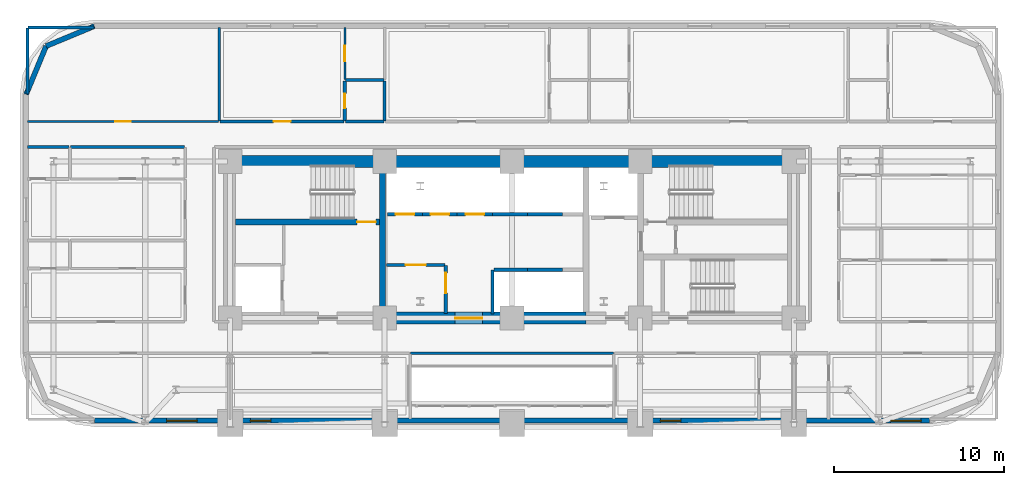
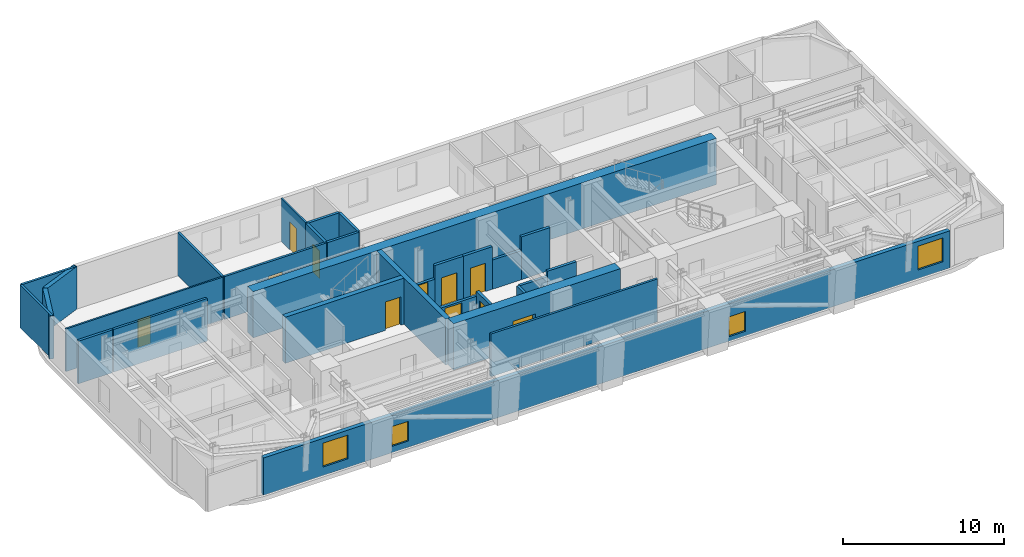
# One storey, part 9 of 15: 30 walls, 11 doors, 4 windows, 15 openings.
"""IFC4 building model written with IfcOpenShell, lengths in metres."""

from ifc_helpers import new_model, si_unit, direction, frame, frame_2d, origin, place, context, subcontext, project, spatial, rectangle, extrude, material, layer, layer_set, type_object, element, fill, save


model = new_model("IFC4")

# Units and contexts
model_context = context("Model", 3, precision=1e-05, world=origin(), true_north=direction((0.0, 1.0)))
body_context = subcontext(model_context, "Body", "Model", "MODEL_VIEW")
ifc_project = project(units=[si_unit("LENGTHUNIT", "METRE"), si_unit("AREAUNIT", "SQUARE_METRE"), si_unit("VOLUMEUNIT", "CUBIC_METRE"), si_unit("PLANEANGLEUNIT", "RADIAN"), si_unit("MASSUNIT", "GRAM", prefix="KILO")], contexts=[model_context])

# Site, building, storey
site_placement = place(None, origin())
site = spatial("IfcSite", under=ifc_project, at=site_placement, CompositionType="ELEMENT")
building_placement = place(site_placement, origin())
building = spatial("IfcBuilding", under=site, at=building_placement, Name="Zarnavel Station Tower", CompositionType="ELEMENT")
storey_placement = place(building_placement, frame((0.0, 0.0, 50.0)))
storey = spatial("IfcBuildingStorey", under=building, at=storey_placement, Name="L13", CompositionType="ELEMENT", Elevation=50.0)

# Wall
ifc_material_1 = material(Name="Concrete C50/60", Category="concrete")
ifc_layer_1 = layer(ifc_material_1, 0.35009765625)
ifc_layer_set_1 = layer_set([ifc_layer_1], Name="CW_350")
wall_type_1 = type_object("IfcWallType", Name="CW_350", PredefinedType="SHEAR", material=ifc_layer_set_1)
wall_1_placement = place(storey_placement, frame((21.179931640625, 28.169921875, 0.0), z_axis=(0.0, 0.0, 1.0), x_axis=(0.0, 1.0, 0.0)))
element("IfcWall", 1, at=wall_1_placement, inside=storey, type_object=wall_type_1, Name="L13 Rear Core Shear Wall DIV-W", PredefinedType="SHEAR", context=body_context, shape_type="SweptSolid", body=[
    extrude(rectangle(XDim=8.530029296875, YDim=0.35009765625, at=frame_2d((4.26513671875, 0.0))), origin(), (0.0, 0.0, 1.0), 3.5),
])

# Wall, opening, door
wall_2_placement = place(storey_placement, frame((21.0048828125, 33.47998046875, 0.0), z_axis=(0.0, 0.0, 1.0), x_axis=(-1.0, 0.0, 0.0)))
wall_2 = element("IfcWall", 2, at=wall_2_placement, inside=storey, type_object=wall_type_1, Name="L13 Rear Core Shear Wall DIV-H1", PredefinedType="SHEAR", context=body_context, shape_type="SweptSolid", body=[
    extrude(rectangle(XDim=8.5048828125, YDim=0.35009765625, at=frame_2d((4.25244140625, 0.0))), origin(), (0.0, 0.0, 1.0), 3.5),
])
opening_1_placement = place(wall_2_placement, frame((0.219970703125, 0.0, 0.0)))
opening_1 = element("IfcOpeningElement", 3, at=opening_1_placement, cuts=wall_2, Name="Opening FD01", PredefinedType="OPENING", context=body_context, shape_type="SweptSolid", body=[
    extrude(rectangle(XDim=1.10009765625, YDim=2.14990234375, at=frame_2d((0.550048828125, 1.074951171875))), frame((0.0, 0.18505859375, 0.0), z_axis=(0.0, -1.0, 0.0), x_axis=(1.0, 0.0, 0.0)), (0.0, 0.0, 1.0), 0.3701171875),
])
ifc_material_2 = material(Name="Painted Galvanised Steel and Hardwood Leaf", Category="steel")
door_type_1 = type_object("IfcDoorType", Name="ID_STAIR_1100", OperationType="NOTDEFINED", PredefinedType="DOOR", material=ifc_material_2)
door_1_placement = place(opening_1_placement, origin())
door_1 = element("IfcDoor", 4, at=door_1_placement, inside=storey, type_object=door_type_1, Name="L13 Stair ST1 Lobby Fire Door", OperationType="SINGLE_SWING_LEFT", OverallHeight=2.14990234375, OverallWidth=1.10009765625, PredefinedType="DOOR", context=body_context, shape_type="SweptSolid", body=[
    extrude(rectangle(XDim=1.10009765625, YDim=2.14990234375, at=frame_2d((0.550048828125, 1.074951171875))), frame((0.0, 0.02490234375, 0.0), z_axis=(0.0, -1.0, 0.0), x_axis=(1.0, 0.0, 0.0)), (0.0, 0.0, 1.0), 0.050048828125),
])
fill(opening_1, door_1)

# Wall
ifc_material_3 = material(Name="Concrete C60/75", Category="concrete")
ifc_layer_2 = layer(ifc_material_3, 0.699951171875)
ifc_layer_set_2 = layer_set([ifc_layer_2], Name="CW_700")
wall_type_2 = type_object("IfcWallType", Name="CW_700", PredefinedType="SHEAR", material=ifc_layer_set_2)
wall_3_placement = place(storey_placement, frame((12.14990234375, 37.050048828125, 0.0), z_axis=(0.0, 0.0, 1.0), x_axis=(1.0, 0.0, 0.0)))
element("IfcWall", 5, at=wall_3_placement, inside=storey, type_object=wall_type_2, Name="L13 Rear Core Shear Wall N", PredefinedType="SHEAR", context=body_context, shape_type="SweptSolid", body=[
    extrude(rectangle(XDim=33.22998046875, YDim=0.699951171875, at=frame_2d((16.614990234375, 0.0))), origin(), (0.0, 0.0, 1.0), 3.5),
])

# Wall, opening, door
wall_4_placement = place(storey_placement, frame((33.14990234375, 27.820068359375, 0.0), z_axis=(0.0, 0.0, 1.0), x_axis=(-1.0, 0.0, 0.0)))
wall_4 = element("IfcWall", 6, at=wall_4_placement, inside=storey, type_object=wall_type_2, Name="L13 Rear Core Shear Wall S-M", PredefinedType="SHEAR", context=body_context, shape_type="SweptSolid", body=[
    extrude(rectangle(XDim=11.969970703125, YDim=0.699951171875, at=frame_2d((5.98486328125, 0.0))), origin(), (0.0, 0.0, 1.0), 3.5),
])
opening_2_placement = place(wall_4_placement, frame((6.10009765625, 0.0, 0.0)))
opening_2 = element("IfcOpeningElement", 7, at=opening_2_placement, cuts=wall_4, Name="Opening ID03", PredefinedType="OPENING", context=body_context, shape_type="SweptSolid", body=[
    extrude(rectangle(XDim=1.60009765625, YDim=2.199951171875, at=frame_2d((0.800048828125, 1.10009765625))), frame((0.0, 0.35986328125, 0.0), z_axis=(0.0, -1.0, 0.0), x_axis=(1.0, 0.0, 0.0)), (0.0, 0.0, 1.0), 0.719970703125),
])
ifc_material_4 = material(Name="Painted Galvanised Steel and Hardwood Leaf", Category="steel")
door_type_2 = type_object("IfcDoorType", Name="ID_PUBLIC_1600", OperationType="DOUBLE_DOOR_SINGLE_SWING", PredefinedType="DOOR", material=ifc_material_4)
door_2_placement = place(opening_2_placement, origin())
door_2 = element("IfcDoor", 8, at=door_2_placement, inside=storey, type_object=door_type_2, Name="L13 Passenger Lift Lobby Double Door", OperationType="SINGLE_SWING_LEFT", OverallHeight=2.199951171875, OverallWidth=1.60009765625, PredefinedType="DOOR", context=body_context, shape_type="SweptSolid", body=[
    extrude(rectangle(XDim=1.60009765625, YDim=2.199951171875, at=frame_2d((0.800048828125, 1.10009765625))), frame((0.0, 0.02490234375, 0.0), z_axis=(0.0, -1.0, 0.0), x_axis=(1.0, 0.0, 0.0)), (0.0, 0.0, 1.0), 0.050048828125),
])
fill(opening_2, door_2)

# Walls
ifc_material_5 = material(Name="Precast concrete C45/55 (Dark Basalt Finish)", Category="masonry")
ifc_layer_3 = layer(ifc_material_5, 0.300048828125)
ifc_layer_set_3 = layer_set([ifc_layer_3], Name="EW_BASALT_300")
wall_type_3 = type_object("IfcWallType", Name="EW_BASALT_300", PredefinedType="SOLIDWALL", material=ifc_layer_set_3)
for number, where, z_axis, x_axis, name in (
    (9, (1.357421875, 43.842529296875, 0.0), (0.0, 0.0, 1.0), (0.923870793506, 0.382704529509, 0.0), "L13 Exterior Basalt Masonry Frame Wall 07"),
    (10, (0.179931640625, 41.0, 0.0), (0.0, 0.0, 1.0), (0.382704529509, 0.923870793506, 0.0), "L13 Exterior Basalt Masonry Frame Wall 08"),
):
    element("IfcWall", number, at=place(storey_placement, frame(where, z_axis=z_axis, x_axis=x_axis)), inside=storey, type_object=wall_type_3, Name=name, PredefinedType="SOLIDWALL", context=body_context, shape_type="SweptSolid", body=[
        extrude(rectangle(XDim=3.07666015625, YDim=0.300048828125, at=frame_2d((1.538330078125, 0.0))), origin(), (0.0, 0.0, 1.0), 3.239990234375),
    ])

# Wall, openings, windows
wall_5_placement = place(storey_placement, frame((53.39990234375, 21.780029296875, 0.0), z_axis=(0.0, 0.0, 1.0), x_axis=(-1.0, 0.0, 0.0)))
wall_5 = element("IfcWall", 11, at=wall_5_placement, inside=storey, type_object=wall_type_3, Name="L13 Exterior Basalt Masonry Frame Wall 12", PredefinedType="SOLIDWALL", context=body_context, shape_type="SweptSolid", body=[
    extrude(rectangle(XDim=49.199951171875, YDim=0.300048828125, at=frame_2d((24.60009765625, 0.0))), origin(), (0.0, 0.0, 1.0), 2.820068359375),
])
opening_3_placement = place(wall_5_placement, frame((43.14111328125, 0.0, 0.64990234375)))
opening_3 = element("IfcOpeningElement", 12, at=opening_3_placement, cuts=wall_5, Name="Opening WN02", PredefinedType="OPENING", context=body_context, shape_type="SweptSolid", body=[
    extrude(rectangle(XDim=1.800048828125, YDim=1.800048828125, at=frame_2d((0.89990234375, 0.89990234375))), frame((0.0, 0.159912109375, 0.0), z_axis=(0.0, -1.0, 0.0), x_axis=(1.0, 0.0, 0.0)), (0.0, 0.0, 1.0), 0.320068359375),
])
opening_4_placement = place(wall_5_placement, frame((38.804931640625, 0.0, 0.47998046875)))
opening_4 = element("IfcOpeningElement", 13, at=opening_4_placement, cuts=wall_5, Name="Opening WN08", PredefinedType="OPENING", context=body_context, shape_type="SweptSolid", body=[
    extrude(rectangle(XDim=1.199951171875, YDim=1.5, at=frame_2d((0.60009765625, 0.75))), frame((0.0, 0.159912109375, 0.0), z_axis=(0.0, -1.0, 0.0), x_axis=(1.0, 0.0, 0.0)), (0.0, 0.0, 1.0), 0.320068359375),
])
opening_5_placement = place(wall_5_placement, frame((14.655029296875, 0.0, 0.340087890625)))
opening_5 = element("IfcOpeningElement", 14, at=opening_5_placement, cuts=wall_5, Name="Opening WN08", PredefinedType="OPENING", context=body_context, shape_type="SweptSolid", body=[
    extrude(rectangle(XDim=1.199951171875, YDim=1.5, at=frame_2d((0.60009765625, 0.75))), frame((0.0, 0.159912109375, 0.0), z_axis=(0.0, -1.0, 0.0), x_axis=(1.0, 0.0, 0.0)), (0.0, 0.0, 1.0), 0.320068359375),
])
opening_6_placement = place(wall_5_placement, frame((0.503662109375, 0.0, 0.64990234375)))
opening_6 = element("IfcOpeningElement", 15, at=opening_6_placement, cuts=wall_5, Name="Opening WN02", PredefinedType="OPENING", context=body_context, shape_type="SweptSolid", body=[
    extrude(rectangle(XDim=1.800048828125, YDim=1.800048828125, at=frame_2d((0.89990234375, 0.89990234375))), frame((0.0, 0.159912109375, 0.0), z_axis=(0.0, -1.0, 0.0), x_axis=(1.0, 0.0, 0.0)), (0.0, 0.0, 1.0), 0.320068359375),
])
ifc_material_6 = material(Name="Thermally Broken Black Aluminium and Low-E Dark Glass", Category="aluminium")
window_type_1 = type_object("IfcWindowType", Name="WN_1200x1500", PartitioningType="SINGLE_PANEL", PredefinedType="WINDOW", material=ifc_material_6)
window_1_placement = place(opening_4_placement, origin())
window_1 = element("IfcWindow", 16, at=window_1_placement, inside=storey, type_object=window_type_1, Name="L13 Recessed Facade Window 02", OverallHeight=1.5, OverallWidth=1.199951171875, PartitioningType="SINGLE_PANEL", PredefinedType="WINDOW", context=body_context, shape_type="SweptSolid", body=[
    extrude(rectangle(XDim=1.199951171875, YDim=1.5, at=frame_2d((0.60009765625, 0.75))), frame((0.0, 0.030029296875, 0.0), z_axis=(0.0, -1.0, 0.0), x_axis=(1.0, 0.0, 0.0)), (0.0, 0.0, 1.0), 0.06005859375),
])
fill(opening_4, window_1)
window_2_placement = place(opening_5_placement, origin())
window_2 = element("IfcWindow", 17, at=window_2_placement, inside=storey, type_object=window_type_1, Name="L13 Recessed Facade Window 03", OverallHeight=1.5, OverallWidth=1.199951171875, PartitioningType="SINGLE_PANEL", PredefinedType="WINDOW", context=body_context, shape_type="SweptSolid", body=[
    extrude(rectangle(XDim=1.199951171875, YDim=1.5, at=frame_2d((0.60009765625, 0.75))), frame((0.0, 0.030029296875, 0.0), z_axis=(0.0, -1.0, 0.0), x_axis=(1.0, 0.0, 0.0)), (0.0, 0.0, 1.0), 0.06005859375),
])
fill(opening_5, window_2)
ifc_material_7 = material(Name="Thermally Broken Black Aluminium and Low-E Dark Glass", Category="aluminium")
window_type_2 = type_object("IfcWindowType", Name="WN_1800x1800", PartitioningType="DOUBLE_PANEL_VERTICAL", PredefinedType="WINDOW", material=ifc_material_7)
window_3_placement = place(opening_3_placement, origin())
window_3 = element("IfcWindow", 18, at=window_3_placement, inside=storey, type_object=window_type_2, Name="L13 Recessed Facade Window 01", OverallHeight=1.800048828125, OverallWidth=1.800048828125, PartitioningType="SINGLE_PANEL", PredefinedType="WINDOW", context=body_context, shape_type="SweptSolid", body=[
    extrude(rectangle(XDim=1.800048828125, YDim=1.800048828125, at=frame_2d((0.89990234375, 0.89990234375))), frame((0.0, 0.030029296875, 0.0), z_axis=(0.0, -1.0, 0.0), x_axis=(1.0, 0.0, 0.0)), (0.0, 0.0, 1.0), 0.06005859375),
])
fill(opening_3, window_3)
window_4_placement = place(opening_6_placement, origin())
window_4 = element("IfcWindow", 19, at=window_4_placement, inside=storey, type_object=window_type_2, Name="L13 Recessed Facade Window 04", OverallHeight=1.800048828125, OverallWidth=1.800048828125, PartitioningType="SINGLE_PANEL", PredefinedType="WINDOW", context=body_context, shape_type="SweptSolid", body=[
    extrude(rectangle(XDim=1.800048828125, YDim=1.800048828125, at=frame_2d((0.89990234375, 0.89990234375))), frame((0.0, 0.030029296875, 0.0), z_axis=(0.0, -1.0, 0.0), x_axis=(1.0, 0.0, 0.0)), (0.0, 0.0, 1.0), 0.06005859375),
])
fill(opening_6, window_4)

# Wall
ifc_material_8 = material(Name="Gypsum Twin-Stud Acoustic Fire Partition", Category="concrete")
ifc_layer_4 = layer(ifc_material_8, 0.159912109375)
ifc_layer_set_4 = layer_set([ifc_layer_4], Name="PT_DEMISE_160")
wall_type_4 = type_object("IfcWallType", Name="PT_DEMISE_160", PredefinedType="PARTITIONING", material=ifc_layer_set_4)
wall_6_placement = place(storey_placement, frame((2.800048828125, 37.89990234375, 0.0), z_axis=(0.0, 0.0, 1.0), x_axis=(1.0, 0.0, 0.0)))
element("IfcWall", 20, at=wall_6_placement, inside=storey, type_object=wall_type_4, Name="L13 Partition COR-N-FNW2S", PredefinedType="PARTITIONING", context=body_context, shape_type="SweptSolid", body=[
    extrude(rectangle(XDim=6.7099609375, YDim=0.159912109375, at=frame_2d((3.35498046875, 0.0))), origin(), (0.0, 0.0, 1.0), 3.239990234375),
])

# Wall, opening, door
wall_7_placement = place(storey_placement, frame((11.60009765625, 39.39990234375, 0.0), z_axis=(0.0, 0.0, 1.0), x_axis=(1.0, 0.0, 0.0)))
wall_7 = element("IfcWall", 21, at=wall_7_placement, inside=storey, type_object=wall_type_4, Name="L13 Partition COR-N-HN1R", PredefinedType="PARTITIONING", context=body_context, shape_type="SweptSolid", body=[
    extrude(rectangle(XDim=7.309814453125, YDim=0.159912109375, at=frame_2d((3.65478515625, 0.0))), origin(), (0.0, 0.0, 1.0), 3.239990234375),
])
opening_7_placement = place(wall_7_placement, frame((3.155029296875, 0.0, 0.0)))
opening_7 = element("IfcOpeningElement", 22, at=opening_7_placement, cuts=wall_7, Name="Opening FD02", PredefinedType="OPENING", context=body_context, shape_type="SweptSolid", body=[
    extrude(rectangle(XDim=1.0, YDim=2.14990234375, at=frame_2d((0.5, 1.074951171875))), frame((0.0, 0.08984375, 0.0), z_axis=(0.0, -1.0, 0.0), x_axis=(1.0, 0.0, 0.0)), (0.0, 0.0, 1.0), 0.179931640625),
])
ifc_material_9 = material(Name="Painted Galvanised Steel and Hardwood Leaf", Category="steel")
door_type_3 = type_object("IfcDoorType", Name="ID_ENTRY_1000", OperationType="NOTDEFINED", PredefinedType="DOOR", material=ifc_material_9)
door_3_placement = place(opening_7_placement, origin())
door_3 = element("IfcDoor", 23, at=door_3_placement, inside=storey, type_object=door_type_3, Name="L13 Door COR-N-HN1R", OperationType="SINGLE_SWING_LEFT", OverallHeight=2.14990234375, OverallWidth=1.0, PredefinedType="DOOR", context=body_context, shape_type="SweptSolid", body=[
    extrude(rectangle(XDim=1.0, YDim=2.14990234375, at=frame_2d((0.5, 1.074951171875))), frame((0.0, 0.02490234375, 0.0), z_axis=(0.0, -1.0, 0.0), x_axis=(1.0, 0.0, 0.0)), (0.0, 0.0, 1.0), 0.050048828125),
])
fill(opening_7, door_3)

# Walls
wall_8_placement = place(storey_placement, frame((11.56005859375, 39.43994140625, 0.0), z_axis=(0.0, 0.0, 1.0), x_axis=(0.0, 1.0, 0.0)))
element("IfcWall", 24, at=wall_8_placement, inside=storey, type_object=wall_type_4, Name="L13 Partition HSKP-HN1R", PredefinedType="PARTITIONING", context=body_context, shape_type="SweptSolid", body=[
    extrude(rectangle(XDim=5.5, YDim=0.159912109375, at=frame_2d((2.75, 0.0))), origin(), (0.0, 0.0, 1.0), 3.239990234375),
])
wall_9_placement = place(storey_placement, frame((22.830078125, 25.75, 0.0), z_axis=(0.0, 0.0, 1.0), x_axis=(1.0, 0.0, 0.0)))
element("IfcWall", 25, at=wall_9_placement, inside=storey, type_object=wall_type_4, Name="L13 Enclosure Wall COR-S", PredefinedType="PARTITIONING", context=body_context, shape_type="SweptSolid", body=[
    extrude(rectangle(XDim=11.93994140625, YDim=0.159912109375, at=frame_2d((5.969970703125, 0.0))), origin(), (0.0, 0.0, 1.0), 3.239990234375),
])
for number, where, z_axis, x_axis, name in (
    (26, (0.2900390625, 44.93994140625, 0.0), (0.0, 0.0, 1.0), (1.0, 0.0, 0.0), "L13 Enclosure Wall HSKP"),
    (27, (0.260009765625, 41.030029296875, 0.0), (0.0, 0.0, 1.0), (0.0, 1.0, 0.0), "L13 Enclosure Wall HSKP"),
):
    element("IfcWall", number, at=place(storey_placement, frame(where, z_axis=z_axis, x_axis=x_axis)), inside=storey, type_object=wall_type_4, Name=name, PredefinedType="PARTITIONING", context=body_context, shape_type="SweptSolid", body=[
        extrude(rectangle(XDim=3.8798828125, YDim=0.159912109375, at=frame_2d((1.93994140625, 0.0))), origin(), (0.0, 0.0, 1.0), 3.239990234375),
    ])

# Wall, opening, door
ifc_material_10 = material(Name="Gypsum Metal-Stud Interior Partition", Category="concrete")
ifc_layer_5 = layer(ifc_material_10, 0.1201171875)
ifc_layer_set_5 = layer_set([ifc_layer_5], Name="PT_ROOM_120")
wall_type_5 = type_object("IfcWallType", Name="PT_ROOM_120", PredefinedType="PARTITIONING", material=ifc_layer_set_5)
wall_10_placement = place(storey_placement, frame((0.260009765625, 39.39990234375, 0.0), z_axis=(0.0, 0.0, 1.0), x_axis=(1.0, 0.0, 0.0)))
wall_10 = element("IfcWall", 28, at=wall_10_placement, inside=storey, type_object=wall_type_5, Name="L13 Partition COR-N-HSKP", PredefinedType="PARTITIONING", context=body_context, shape_type="SweptSolid", body=[
    extrude(rectangle(XDim=11.260009765625, YDim=0.1201171875, at=frame_2d((5.6298828125, 0.0))), origin(), (0.0, 0.0, 1.0), 3.239990234375),
])
opening_8_placement = place(wall_10_placement, frame((5.179931640625, 0.0, 0.0)))
opening_8 = element("IfcOpeningElement", 29, at=opening_8_placement, cuts=wall_10, Name="Opening ID01", PredefinedType="OPENING", context=body_context, shape_type="SweptSolid", body=[
    extrude(rectangle(XDim=0.89990234375, YDim=2.10009765625, at=frame_2d((0.449951171875, 1.050048828125))), frame((0.0, 0.070068359375, 0.0), z_axis=(0.0, -1.0, 0.0), x_axis=(1.0, 0.0, 0.0)), (0.0, 0.0, 1.0), 0.14013671875),
])
ifc_material_11 = material(Name="Painted Galvanised Steel and Hardwood Leaf", Category="steel")
door_type_4 = type_object("IfcDoorType", Name="ID_ROOM_900", OperationType="NOTDEFINED", PredefinedType="DOOR", material=ifc_material_11)
door_4_placement = place(opening_8_placement, origin())
door_4 = element("IfcDoor", 30, at=door_4_placement, inside=storey, type_object=door_type_4, Name="L13 Door COR-N-HSKP", OperationType="SINGLE_SWING_RIGHT", OverallHeight=2.10009765625, OverallWidth=0.89990234375, PredefinedType="DOOR", context=body_context, shape_type="SweptSolid", body=[
    extrude(rectangle(XDim=0.89990234375, YDim=2.10009765625, at=frame_2d((0.449951171875, 1.050048828125))), frame((0.0, 0.02490234375, 0.0), z_axis=(0.0, -1.0, 0.0), x_axis=(1.0, 0.0, 0.0)), (0.0, 0.0, 1.0), 0.050048828125),
])
fill(opening_8, door_4)

wall_11_placement = place(storey_placement, frame((18.949951171875, 41.8779296875, 0.0), z_axis=(0.0, 0.0, 1.0), x_axis=(0.0, 1.0, 0.0)))
wall_11 = element("IfcWall", 31, at=wall_11_placement, inside=storey, type_object=wall_type_5, Name="L13 Partition HN1R-HN1S", PredefinedType="PARTITIONING", context=body_context, shape_type="SweptSolid", body=[
    extrude(rectangle(XDim=3.06201171875, YDim=0.1201171875, at=frame_2d((1.531005859375, 0.0))), origin(), (0.0, 0.0, 1.0), 3.239990234375),
])
opening_9_placement = place(wall_11_placement, frame((1.0810546875, 0.0, 0.0)))
opening_9 = element("IfcOpeningElement", 32, at=opening_9_placement, cuts=wall_11, Name="Opening ID01", PredefinedType="OPENING", context=body_context, shape_type="SweptSolid", body=[
    extrude(rectangle(XDim=0.89990234375, YDim=2.10009765625, at=frame_2d((0.449951171875, 1.050048828125))), frame((0.0, 0.070068359375, 0.0), z_axis=(0.0, -1.0, 0.0), x_axis=(1.0, 0.0, 0.0)), (0.0, 0.0, 1.0), 0.14013671875),
])
door_5_placement = place(opening_9_placement, origin())
door_5 = element("IfcDoor", 33, at=door_5_placement, inside=storey, type_object=door_type_4, Name="L13 Door HN1R-HN1S", OperationType="SINGLE_SWING_RIGHT", OverallHeight=2.10009765625, OverallWidth=0.89990234375, PredefinedType="DOOR", context=body_context, shape_type="SweptSolid", body=[
    extrude(rectangle(XDim=0.89990234375, YDim=2.10009765625, at=frame_2d((0.449951171875, 1.050048828125))), frame((0.0, 0.02490234375, 0.0), z_axis=(0.0, -1.0, 0.0), x_axis=(1.0, 0.0, 0.0)), (0.0, 0.0, 1.0), 0.050048828125),
])
fill(opening_9, door_5)

# Walls
ifc_material_12 = material(Name="Precast concrete C45/55 (Fire Shaft Blockwork)", Category="masonry")
ifc_layer_6 = layer(ifc_material_12, 0.199951171875)
ifc_layer_set_6 = layer_set([ifc_layer_6], Name="PT_SHAFT_200")
wall_type_6 = type_object("IfcWallType", Name="PT_SHAFT_200", PredefinedType="PARTITIONING", material=ifc_layer_set_6)
wall_12_placement = place(storey_placement, frame((27.75, 30.669921875, 0.0), z_axis=(0.0, 0.0, 1.0), x_axis=(1.0, 0.0, 0.0)))
element("IfcWall", 34, at=wall_12_placement, inside=storey, type_object=wall_type_6, Name="L13 Lift PL-H1 Shaft Front Wall", PredefinedType="PARTITIONING", context=body_context, shape_type="SweptSolid", body=[
    extrude(rectangle(XDim=1.97509765625, YDim=0.199951171875, at=frame_2d((0.987548828125, 0.0))), origin(), (0.0, 0.0, 1.0), 2.2119140625),
])
wall_13_placement = place(storey_placement, frame((27.64990234375, 28.070068359375, 0.0), z_axis=(0.0, 0.0, 1.0), x_axis=(0.0, 1.0, 0.0)))
element("IfcWall", 35, at=wall_13_placement, inside=storey, type_object=wall_type_6, Name="L13 High-Rise Lift Bank West Shaft Wall", PredefinedType="PARTITIONING", context=body_context, shape_type="SweptSolid", body=[
    extrude(rectangle(XDim=2.579833984375, YDim=0.199951171875, at=frame_2d((1.2900390625, 0.0))), origin(), (0.0, 0.0, 1.0), 2.2119140625),
])
wall_14_placement = place(storey_placement, frame((29.72509765625, 30.669921875, 0.0), z_axis=(0.0, 0.0, 1.0), x_axis=(1.0, 0.0, 0.0)))
element("IfcWall", 36, at=wall_14_placement, inside=storey, type_object=wall_type_6, Name="L13 Lift PL-H2 Shaft Front Wall", PredefinedType="PARTITIONING", context=body_context, shape_type="SweptSolid", body=[
    extrude(rectangle(XDim=2.0498046875, YDim=0.199951171875, at=frame_2d((1.02490234375, 0.0))), origin(), (0.0, 0.0, 1.0), 2.6201171875),
])

# Wall, opening, door
wall_15_placement = place(storey_placement, frame((21.4599609375, 33.929931640625, 0.0), z_axis=(0.0, 0.0, 1.0), x_axis=(1.0, 0.0, 0.0)))
wall_15 = element("IfcWall", 37, at=wall_15_placement, inside=storey, type_object=wall_type_6, Name="L13 Lift PL-L1 Shaft Front Wall", PredefinedType="PARTITIONING", context=body_context, shape_type="SweptSolid", body=[
    extrude(rectangle(XDim=2.06494140625, YDim=0.199951171875, at=frame_2d((1.032470703125, 0.0))), origin(), (0.0, 0.0, 1.0), 2.2119140625),
])
opening_10_placement = place(wall_15_placement, frame((0.482421875, 0.0, 0.0)))
opening_10 = element("IfcOpeningElement", 38, at=opening_10_placement, cuts=wall_15, Name="Opening LD02", PredefinedType="OPENING", context=body_context, shape_type="SweptSolid", body=[
    extrude(rectangle(XDim=1.10009765625, YDim=2.14990234375, at=frame_2d((0.550048828125, 1.074951171875))), frame((0.0, 0.10986328125, 0.0), z_axis=(0.0, -1.0, 0.0), x_axis=(1.0, 0.0, 0.0)), (0.0, 0.0, 1.0), 0.219970703125),
])
ifc_material_13 = material(Name="Painted Galvanised Steel and Hardwood Leaf", Category="steel")
door_type_5 = type_object("IfcDoorType", Name="LD_PAX_1100", OperationType="DOUBLE_DOOR_SLIDING", PredefinedType="DOOR", material=ifc_material_13)
door_6_placement = place(opening_10_placement, origin())
door_6 = element("IfcDoor", 39, at=door_6_placement, inside=storey, type_object=door_type_5, Name="L13 Lift PL-L1 Sliding Landing Door", OperationType="DOUBLE_DOOR_SLIDING", OverallHeight=2.14990234375, OverallWidth=1.10009765625, PredefinedType="DOOR", context=body_context, shape_type="SweptSolid", body=[
    extrude(rectangle(XDim=1.10009765625, YDim=2.14990234375, at=frame_2d((0.550048828125, 1.074951171875))), frame((0.0, 0.02490234375, 0.0), z_axis=(0.0, -1.0, 0.0), x_axis=(1.0, 0.0, 0.0)), (0.0, 0.0, 1.0), 0.050048828125),
])
fill(opening_10, door_6)

wall_16_placement = place(storey_placement, frame((23.52490234375, 33.929931640625, 0.0), z_axis=(0.0, 0.0, 1.0), x_axis=(1.0, 0.0, 0.0)))
wall_16 = element("IfcWall", 40, at=wall_16_placement, inside=storey, type_object=wall_type_6, Name="L13 Lift PL-L2 Shaft Front Wall", PredefinedType="PARTITIONING", context=body_context, shape_type="SweptSolid", body=[
    extrude(rectangle(XDim=2.050048828125, YDim=0.199951171875, at=frame_2d((1.02490234375, 0.0))), origin(), (0.0, 0.0, 1.0), 3.239990234375),
])
opening_11_placement = place(wall_16_placement, frame((0.47509765625, 0.0, 0.0)))
opening_11 = element("IfcOpeningElement", 41, at=opening_11_placement, cuts=wall_16, Name="Opening LD02", PredefinedType="OPENING", context=body_context, shape_type="SweptSolid", body=[
    extrude(rectangle(XDim=1.10009765625, YDim=2.14990234375, at=frame_2d((0.550048828125, 1.074951171875))), frame((0.0, 0.10986328125, 0.0), z_axis=(0.0, -1.0, 0.0), x_axis=(1.0, 0.0, 0.0)), (0.0, 0.0, 1.0), 0.219970703125),
])
door_7_placement = place(opening_11_placement, origin())
door_7 = element("IfcDoor", 42, at=door_7_placement, inside=storey, type_object=door_type_5, Name="L13 Lift PL-L2 Sliding Landing Door", OperationType="DOUBLE_DOOR_SLIDING", OverallHeight=2.14990234375, OverallWidth=1.10009765625, PredefinedType="DOOR", context=body_context, shape_type="SweptSolid", body=[
    extrude(rectangle(XDim=1.10009765625, YDim=2.14990234375, at=frame_2d((0.550048828125, 1.074951171875))), frame((0.0, 0.02490234375, 0.0), z_axis=(0.0, -1.0, 0.0), x_axis=(1.0, 0.0, 0.0)), (0.0, 0.0, 1.0), 0.050048828125),
])
fill(opening_11, door_7)

wall_17_placement = place(storey_placement, frame((25.574951171875, 33.929931640625, 0.0), z_axis=(0.0, 0.0, 1.0), x_axis=(1.0, 0.0, 0.0)))
wall_17 = element("IfcWall", 43, at=wall_17_placement, inside=storey, type_object=wall_type_6, Name="L13 Lift PL-L3 Shaft Front Wall", PredefinedType="PARTITIONING", context=body_context, shape_type="SweptSolid", body=[
    extrude(rectangle(XDim=2.074951171875, YDim=0.199951171875, at=frame_2d((1.03759765625, 0.0))), origin(), (0.0, 0.0, 1.0), 3.239990234375),
])
opening_12_placement = place(wall_17_placement, frame((0.487548828125, 0.0, 0.0)))
opening_12 = element("IfcOpeningElement", 44, at=opening_12_placement, cuts=wall_17, Name="Opening LD02", PredefinedType="OPENING", context=body_context, shape_type="SweptSolid", body=[
    extrude(rectangle(XDim=1.10009765625, YDim=2.14990234375, at=frame_2d((0.550048828125, 1.074951171875))), frame((0.0, 0.10986328125, 0.0), z_axis=(0.0, -1.0, 0.0), x_axis=(1.0, 0.0, 0.0)), (0.0, 0.0, 1.0), 0.219970703125),
])
door_8_placement = place(opening_12_placement, origin())
door_8 = element("IfcDoor", 45, at=door_8_placement, inside=storey, type_object=door_type_5, Name="L13 Lift PL-L3 Sliding Landing Door", OperationType="DOUBLE_DOOR_SLIDING", OverallHeight=2.14990234375, OverallWidth=1.10009765625, PredefinedType="DOOR", context=body_context, shape_type="SweptSolid", body=[
    extrude(rectangle(XDim=1.10009765625, YDim=2.14990234375, at=frame_2d((0.550048828125, 1.074951171875))), frame((0.0, 0.02490234375, 0.0), z_axis=(0.0, -1.0, 0.0), x_axis=(1.0, 0.0, 0.0)), (0.0, 0.0, 1.0), 0.050048828125),
])
fill(opening_12, door_8)

# Walls
wall_18_placement = place(storey_placement, frame((27.64990234375, 33.929931640625, 0.0), z_axis=(0.0, 0.0, 1.0), x_axis=(1.0, 0.0, 0.0)))
element("IfcWall", 46, at=wall_18_placement, inside=storey, type_object=wall_type_6, Name="L13 Lift PL-M1 Shaft Front Wall", PredefinedType="PARTITIONING", context=body_context, shape_type="SweptSolid", body=[
    extrude(rectangle(XDim=2.0751953125, YDim=0.199951171875, at=frame_2d((1.03759765625, 0.0))), origin(), (0.0, 0.0, 1.0), 2.2119140625),
])
wall_19_placement = place(storey_placement, frame((29.72509765625, 33.929931640625, 0.0), z_axis=(0.0, 0.0, 1.0), x_axis=(1.0, 0.0, 0.0)))
element("IfcWall", 47, at=wall_19_placement, inside=storey, type_object=wall_type_6, Name="L13 Lift PL-M2 Shaft Front Wall", PredefinedType="PARTITIONING", context=body_context, shape_type="SweptSolid", body=[
    extrude(rectangle(XDim=2.0498046875, YDim=0.199951171875, at=frame_2d((1.02490234375, 0.0))), origin(), (0.0, 0.0, 1.0), 3.239990234375),
])

# Wall, opening, door
wall_20_placement = place(storey_placement, frame((21.39990234375, 30.949951171875, 0.0), z_axis=(0.0, 0.0, 1.0), x_axis=(1.0, 0.0, 0.0)))
wall_20 = element("IfcWall", 48, at=wall_20_placement, inside=storey, type_object=wall_type_6, Name="L13 Partition LLOB-CS1", PredefinedType="PARTITIONING", context=body_context, shape_type="SweptSolid", body=[
    extrude(rectangle(XDim=3.460205078125, YDim=0.199951171875, at=frame_2d((1.72998046875, 0.0))), origin(), (0.0, 0.0, 1.0), 2.280029296875),
])
opening_13_placement = place(wall_20_placement, frame((1.1298828125, 0.0, 0.0)))
opening_13 = element("IfcOpeningElement", 49, at=opening_13_placement, cuts=wall_20, Name="Opening FD03", PredefinedType="OPENING", context=body_context, shape_type="SweptSolid", body=[
    extrude(rectangle(XDim=1.199951171875, YDim=2.14990234375, at=frame_2d((0.60009765625, 1.074951171875))), frame((0.0, 0.10986328125, 0.0), z_axis=(0.0, -1.0, 0.0), x_axis=(1.0, 0.0, 0.0)), (0.0, 0.0, 1.0), 0.219970703125),
])
ifc_material_14 = material(Name="Painted Galvanised Steel and Hardwood Leaf", Category="steel")
door_type_6 = type_object("IfcDoorType", Name="ID_PLANT_1200", OperationType="NOTDEFINED", PredefinedType="DOOR", material=ifc_material_14)
door_9_placement = place(opening_13_placement, origin())
door_9 = element("IfcDoor", 50, at=door_9_placement, inside=storey, type_object=door_type_6, Name="L13 Door LLOB-CS1", OperationType="SINGLE_SWING_RIGHT", OverallHeight=2.14990234375, OverallWidth=1.199951171875, PredefinedType="DOOR", context=body_context, shape_type="SweptSolid", body=[
    extrude(rectangle(XDim=1.199951171875, YDim=2.14990234375, at=frame_2d((0.60009765625, 1.074951171875))), frame((0.0, 0.02490234375, 0.0), z_axis=(0.0, -1.0, 0.0), x_axis=(1.0, 0.0, 0.0)), (0.0, 0.0, 1.0), 0.050048828125),
])
fill(opening_13, door_9)

wall_21_placement = place(storey_placement, frame((24.89990234375, 30.909912109375, 0.0), z_axis=(0.0, 0.0, 1.0), x_axis=(0.0, -1.0, 0.0)))
wall_21 = element("IfcWall", 51, at=wall_21_placement, inside=storey, type_object=wall_type_6, Name="L13 Partition LLOBS-CS1", PredefinedType="PARTITIONING", context=body_context, shape_type="SweptSolid", body=[
    extrude(rectangle(XDim=2.81982421875, YDim=0.199951171875, at=frame_2d((1.409912109375, 0.0))), origin(), (0.0, 0.0, 1.0), 2.6201171875),
])
opening_14_placement = place(wall_21_placement, frame((0.419189453125, 0.0, 0.0)))
opening_14 = element("IfcOpeningElement", 52, at=opening_14_placement, cuts=wall_21, Name="Opening FD03", PredefinedType="OPENING", context=body_context, shape_type="SweptSolid", body=[
    extrude(rectangle(XDim=1.199951171875, YDim=2.14990234375, at=frame_2d((0.60009765625, 1.074951171875))), frame((0.0, 0.10986328125, 0.0), z_axis=(0.0, -1.0, 0.0), x_axis=(1.0, 0.0, 0.0)), (0.0, 0.0, 1.0), 0.219970703125),
])
door_10_placement = place(opening_14_placement, origin())
door_10 = element("IfcDoor", 53, at=door_10_placement, inside=storey, type_object=door_type_6, Name="L13 Door LLOBS-CS1", OperationType="SINGLE_SWING_LEFT", OverallHeight=2.14990234375, OverallWidth=1.199951171875, PredefinedType="DOOR", context=body_context, shape_type="SweptSolid", body=[
    extrude(rectangle(XDim=1.199951171875, YDim=2.14990234375, at=frame_2d((0.60009765625, 1.074951171875))), frame((0.0, 0.02490234375, 0.0), z_axis=(0.0, -1.0, 0.0), x_axis=(1.0, 0.0, 0.0)), (0.0, 0.0, 1.0), 0.050048828125),
])
fill(opening_14, door_10)

# Walls
ifc_material_15 = material(Name="Moisture-Resistant Plumbing Chase Wall", Category="concrete")
ifc_layer_7 = layer(ifc_material_15, 0.179931640625)
ifc_layer_set_7 = layer_set([ifc_layer_7], Name="PW_PLUMB_180")
wall_type_7 = type_object("IfcWallType", Name="PW_PLUMB_180", PredefinedType="PLUMBINGWALL", material=ifc_layer_set_7)
wall_22_placement = place(storey_placement, frame((0.260009765625, 37.89990234375, 0.0), z_axis=(0.0, 0.0, 1.0), x_axis=(1.0, 0.0, 0.0)))
element("IfcWall", 54, at=wall_22_placement, inside=storey, type_object=wall_type_7, Name="L13 Partition COR-N-FNW2B", PredefinedType="PLUMBINGWALL", context=body_context, shape_type="SweptSolid", body=[
    extrude(rectangle(XDim=2.4599609375, YDim=0.179931640625, at=frame_2d((1.22998046875, 0.0))), origin(), (0.0, 0.0, 1.0), 3.239990234375),
])
wall_23_placement = place(storey_placement, frame((18.989990234375, 39.39990234375, 0.0), z_axis=(0.0, 0.0, 1.0), x_axis=(1.0, 0.0, 0.0)))
element("IfcWall", 55, at=wall_23_placement, inside=storey, type_object=wall_type_7, Name="L13 Partition COR-N-HN1B", PredefinedType="PLUMBINGWALL", context=body_context, shape_type="SweptSolid", body=[
    extrude(rectangle(XDim=2.27001953125, YDim=0.179931640625, at=frame_2d((1.135009765625, 0.0))), origin(), (0.0, 0.0, 1.0), 3.239990234375),
])

# Wall, opening, door
wall_24_placement = place(storey_placement, frame((18.949951171875, 39.43994140625, 0.0), z_axis=(0.0, 0.0, 1.0), x_axis=(0.0, 1.0, 0.0)))
wall_24 = element("IfcWall", 56, at=wall_24_placement, inside=storey, type_object=wall_type_7, Name="L13 Partition HN1R-HN1B", PredefinedType="PLUMBINGWALL", context=body_context, shape_type="SweptSolid", body=[
    extrude(rectangle(XDim=2.358154296875, YDim=0.179931640625, at=frame_2d((1.17919921875, 0.0))), origin(), (0.0, 0.0, 1.0), 3.239990234375),
])
opening_15_placement = place(wall_24_placement, frame((0.75390625, 0.0, 0.0)))
opening_15 = element("IfcOpeningElement", 57, at=opening_15_placement, cuts=wall_24, Name="Opening ID02", PredefinedType="OPENING", context=body_context, shape_type="SweptSolid", body=[
    extrude(rectangle(XDim=0.85009765625, YDim=2.10009765625, at=frame_2d((0.425048828125, 1.050048828125))), frame((0.0, 0.099853515625, 0.0), z_axis=(0.0, -1.0, 0.0), x_axis=(1.0, 0.0, 0.0)), (0.0, 0.0, 1.0), 0.199951171875),
])
ifc_material_16 = material(Name="Painted Galvanised Steel and Hardwood Leaf", Category="steel")
door_type_7 = type_object("IfcDoorType", Name="ID_BATH_850", OperationType="NOTDEFINED", PredefinedType="DOOR", material=ifc_material_16)
door_11_placement = place(opening_15_placement, origin())
door_11 = element("IfcDoor", 58, at=door_11_placement, inside=storey, type_object=door_type_7, Name="L13 Door HN1R-HN1B", OperationType="SINGLE_SWING_LEFT", OverallHeight=2.10009765625, OverallWidth=0.85009765625, PredefinedType="DOOR", context=body_context, shape_type="SweptSolid", body=[
    extrude(rectangle(XDim=0.85009765625, YDim=2.10009765625, at=frame_2d((0.425048828125, 1.050048828125))), frame((0.0, 0.02490234375, 0.0), z_axis=(0.0, -1.0, 0.0), x_axis=(1.0, 0.0, 0.0)), (0.0, 0.0, 1.0), 0.050048828125),
])
fill(opening_15, door_11)

# Walls
wall_25_placement = place(storey_placement, frame((18.989990234375, 41.837890625, 0.0), z_axis=(0.0, 0.0, 1.0), x_axis=(1.0, 0.0, 0.0)))
element("IfcWall", 59, at=wall_25_placement, inside=storey, type_object=wall_type_7, Name="L13 Partition HN1B-HN1S", PredefinedType="PLUMBINGWALL", context=body_context, shape_type="SweptSolid", body=[
    extrude(rectangle(XDim=2.27001953125, YDim=0.179931640625, at=frame_2d((1.135009765625, 0.0))), origin(), (0.0, 0.0, 1.0), 3.239990234375),
])
wall_26_placement = place(storey_placement, frame((21.300048828125, 39.43994140625, 0.0), z_axis=(0.0, 0.0, 1.0), x_axis=(0.0, 1.0, 0.0)))
element("IfcWall", 60, at=wall_26_placement, inside=storey, type_object=wall_type_7, Name="L13 Partition HN1B-HN2R", PredefinedType="PLUMBINGWALL", context=body_context, shape_type="SweptSolid", body=[
    extrude(rectangle(XDim=2.358154296875, YDim=0.179931640625, at=frame_2d((1.17919921875, 0.0))), origin(), (0.0, 0.0, 1.0), 3.239990234375),
])

save(model, "model.ifc")
